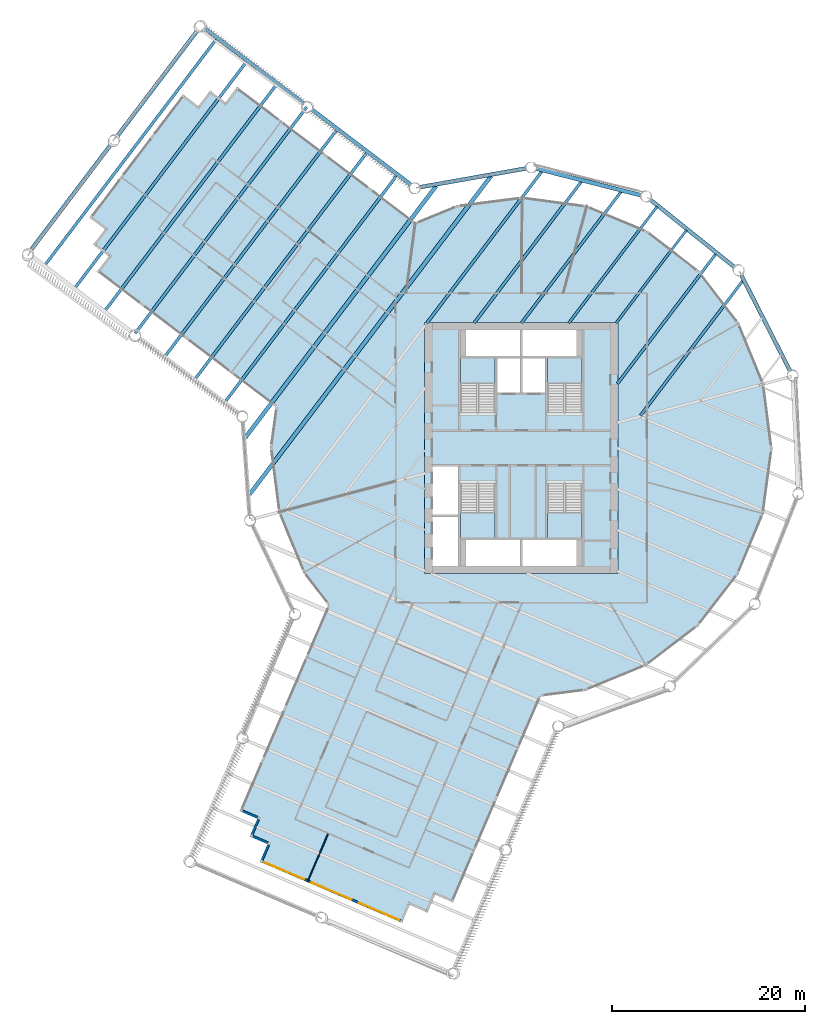
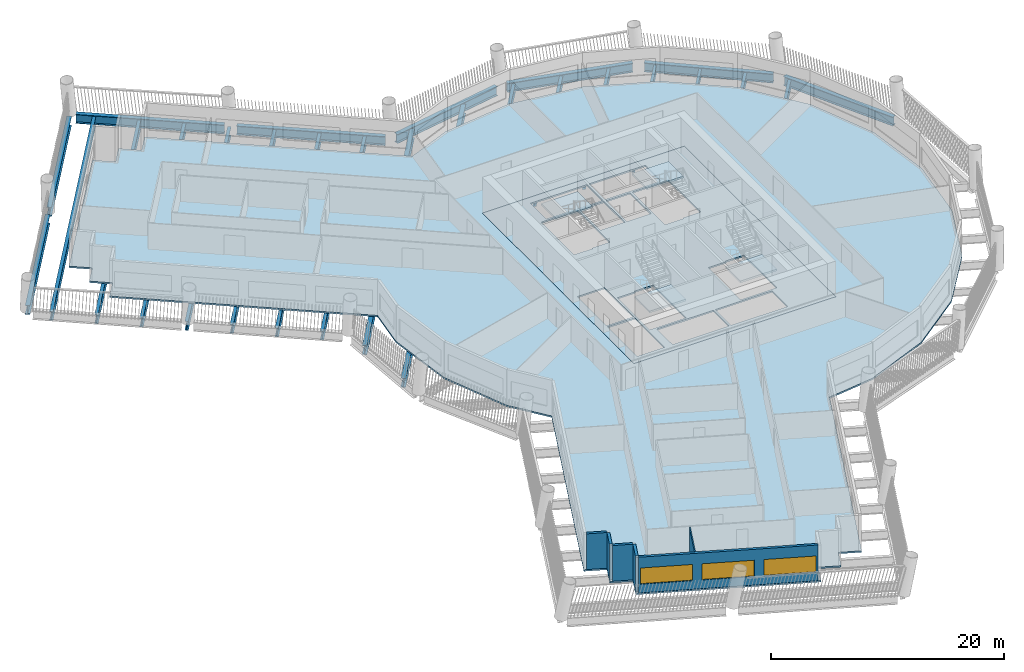
# One storey, part 2 of 16: 24 beams, 6 slabs, 6 walls, 3 windows, 3 openings, 4 elements without a shape of their own.
"""IFC4 building model written with IfcOpenShell, lengths in metres."""

from ifc_helpers import new_model, si_unit, direction, frame, frame_2d, origin, origin_2d, place, context, subcontext, project, spatial, polyline, rectangle, i_section, outline, extrude, material, layer, layer_set, material_profile, profile_set, type_object, element, fill, aggregate, save


model = new_model("IFC4")

# Units and contexts
model_context = context("Model", 3, precision=1e-05, world=origin(), true_north=direction((0.0, 1.0)))
body_context = subcontext(model_context, "Body", "Model", "MODEL_VIEW")
ifc_project = project(units=[si_unit("LENGTHUNIT", "METRE"), si_unit("AREAUNIT", "SQUARE_METRE"), si_unit("VOLUMEUNIT", "CUBIC_METRE"), si_unit("PLANEANGLEUNIT", "RADIAN"), si_unit("MASSUNIT", "GRAM", prefix="KILO")], contexts=[model_context])

# Site, building, storey
site_placement = place(None, origin())
site = spatial("IfcSite", under=ifc_project, at=site_placement, CompositionType="ELEMENT")
building_placement = place(site_placement, origin())
building = spatial("IfcBuilding", under=site, at=building_placement, Name="Tarsis Ring Headquarters", CompositionType="ELEMENT")
storey_placement = place(building_placement, frame((0.0, 0.0, 120.10009765625)))
storey = spatial("IfcBuildingStorey", under=building, at=storey_placement, Name="L27", CompositionType="ELEMENT", Elevation=120.10009765625)

# Beams
ifc_material_1 = material(Name="Structural steel S355", Category="steel")
ifc_material_profile_1 = material_profile(ifc_material_1, i_section(OverallWidth=0.2529296875, OverallDepth=0.67822265625, WebThickness=0.01171875, FlangeThickness=0.016357421875, at=origin_2d()), Name="W27x84")
ifc_profile_set_1 = profile_set([ifc_material_profile_1], Name="Structural steel S355")
beam_type_1 = type_object("IfcBeamType", Name="FB Floor beam W27x84", PredefinedType="JOIST", material=ifc_profile_set_1)
beam_1_placement = place(storey_placement, frame((17.097900390625, 22.542236328125, -0.499267578125), z_axis=(-0.604309488288, -0.796749673589, 0.0), x_axis=(0.796749673589, -0.604309488288, 0.0)))
element("IfcBeam", 1, at=beam_1_placement, inside=storey, type_object=beam_type_1, Name="Floor beam FB5", PredefinedType="JOIST", context=body_context, shape_type="SweptSolid", body=[
    extrude(i_section(OverallWidth=0.2529296875, OverallDepth=0.67822265625, WebThickness=0.01171875, FlangeThickness=0.016357421875, at=origin_2d()), origin(), (0.0, 0.0, 1.0), 12.076416015625),
])
ifc_material_profile_2 = material_profile(ifc_material_1, i_section(OverallWidth=0.2666015625, OverallDepth=0.7568359375, WebThickness=0.013916015625, FlangeThickness=0.019287109375, at=origin_2d()), Name="W30x108")
ifc_profile_set_2 = profile_set([ifc_material_profile_2], Name="Structural steel S355")
beam_type_2 = type_object("IfcBeamType", Name="FB Floor beam W30x108", PredefinedType="JOIST", material=ifc_profile_set_2)
beam_2_placement = place(storey_placement, frame((14.052001953125, 24.979736328125, -0.53857421875), z_axis=(-0.604324345789, -0.796738404426, 0.0), x_axis=(0.796738404426, -0.604324345789, 0.0)))
element("IfcBeam", 2, at=beam_2_placement, inside=storey, type_object=beam_type_2, Name="Floor beam FB6", PredefinedType="JOIST", context=body_context, shape_type="SweptSolid", body=[
    extrude(i_section(OverallWidth=0.2666015625, OverallDepth=0.7568359375, WebThickness=0.013916015625, FlangeThickness=0.019287109375, at=origin_2d()), origin(), (0.0, 0.0, 1.0), 15.135986328125),
])
ifc_material_profile_3 = material_profile(ifc_material_1, i_section(OverallWidth=0.2919921875, OverallDepth=0.835693359375, WebThickness=0.013916015625, FlangeThickness=0.018798828125, at=origin_2d()), Name="W33x118")
ifc_profile_set_3 = profile_set([ifc_material_profile_3], Name="Structural steel S355")
beam_type_3 = type_object("IfcBeamType", Name="FB Floor beam W33x118", PredefinedType="JOIST", material=ifc_profile_set_3)
beam_3_placement = place(storey_placement, frame((22.91552734375, 17.304931640625, -0.577880859375), z_axis=(-0.604314726803, -0.796745700314, 0.0), x_axis=(0.796745700314, -0.604314726803, 0.0)))
element("IfcBeam", 3, at=beam_3_placement, inside=storey, type_object=beam_type_3, Name="Floor beam FB7", PredefinedType="JOIST", context=body_context, shape_type="SweptSolid", body=[
    extrude(i_section(OverallWidth=0.2919921875, OverallDepth=0.835693359375, WebThickness=0.013916015625, FlangeThickness=0.018798828125, at=origin_2d()), origin(), (0.0, 0.0, 1.0), 17.500732421875),
])
beam_4_placement = place(storey_placement, frame((20.14404296875, 20.104736328125, -0.577880859375), z_axis=(-0.604319393678, -0.796742160567, 0.0), x_axis=(0.796742160567, -0.604319393678, 0.0)))
element("IfcBeam", 4, at=beam_4_placement, inside=storey, type_object=beam_type_3, Name="Floor beam FB7", PredefinedType="JOIST", context=body_context, shape_type="SweptSolid", body=[
    extrude(i_section(OverallWidth=0.2919921875, OverallDepth=0.835693359375, WebThickness=0.013916015625, FlangeThickness=0.018798828125, at=origin_2d()), origin(), (0.0, 0.0, 1.0), 16.885986328125),
])
beam_5_placement = place(storey_placement, frame((10.342041015625, 26.5419921875, -0.577880859375), z_axis=(-0.604327721755, -0.796735843752, 0.0), x_axis=(0.796735843752, -0.604327721755, 0.0)))
element("IfcBeam", 5, at=beam_5_placement, inside=storey, type_object=beam_type_3, Name="Floor beam FB7", PredefinedType="JOIST", context=body_context, shape_type="SweptSolid", body=[
    extrude(i_section(OverallWidth=0.2919921875, OverallDepth=0.835693359375, WebThickness=0.013916015625, FlangeThickness=0.018798828125, at=origin_2d()), origin(), (0.0, 0.0, 1.0), 17.0966796875),
])
ifc_material_profile_4 = material_profile(ifc_material_1, i_section(OverallWidth=0.3046875, OverallDepth=0.904296875, WebThickness=0.01513671875, FlangeThickness=0.02001953125, at=origin_2d()), Name="W36x135")
ifc_profile_set_4 = profile_set([ifc_material_profile_4], Name="Structural steel S355")
beam_type_4 = type_object("IfcBeamType", Name="FB Floor beam W36x135", PredefinedType="JOIST", material=ifc_profile_set_4)
beam_6_placement = place(storey_placement, frame((6.2412109375, 27.589111328125, -0.6123046875), z_axis=(-0.604317403276, -0.796743670259, 0.0), x_axis=(0.796743670259, -0.604317403276, 0.0)))
element("IfcBeam", 6, at=beam_6_placement, inside=storey, type_object=beam_type_4, Name="Floor beam FB8", PredefinedType="JOIST", context=body_context, shape_type="SweptSolid", body=[
    extrude(i_section(OverallWidth=0.3046875, OverallDepth=0.904296875, WebThickness=0.01513671875, FlangeThickness=0.02001953125, at=origin_2d()), origin(), (0.0, 0.0, 1.0), 18.410888671875),
])
beam_7_placement = place(storey_placement, frame((2.140625, 28.63623046875, -0.6123046875), z_axis=(-0.604324173683, -0.796738534968, 0.0), x_axis=(0.796738534968, -0.604324173683, 0.0)))
element("IfcBeam", 7, at=beam_7_placement, inside=storey, type_object=beam_type_4, Name="Floor beam FB8", PredefinedType="JOIST", context=body_context, shape_type="SweptSolid", body=[
    extrude(i_section(OverallWidth=0.3046875, OverallDepth=0.904296875, WebThickness=0.01513671875, FlangeThickness=0.02001953125, at=origin_2d()), origin(), (0.0, 0.0, 1.0), 19.72509765625),
])
ifc_material_profile_5 = material_profile(ifc_material_1, i_section(OverallWidth=0.309814453125, OverallDepth=0.949951171875, WebThickness=0.0244140625, FlangeThickness=0.0439453125, at=origin_2d()), Name="W36x256")
ifc_profile_set_5 = profile_set([ifc_material_profile_5], Name="Structural steel S355")
beam_type_5 = type_object("IfcBeamType", Name="FB Floor beam W36x256", PredefinedType="JOIST", material=ifc_profile_set_5)
for number, where, z_axis, x_axis, name in (
    (8, (-12.874755859375, 28.200439453125, -0.635009765625), (-0.604319540346, -0.796742049321, 0.0), (0.796742049321, -0.604319540346, 0.0), "Floor beam FB11"),
    (9, (-15.982177734375, 30.557373046875, -0.635009765625), (-0.604319540346, -0.796742049321, 0.0), (0.796742049321, -0.604319540346, 0.0), "Floor beam FB11"),
):
    element("IfcBeam", number, at=place(storey_placement, frame(where, z_axis=z_axis, x_axis=x_axis)), inside=storey, type_object=beam_type_5, Name=name, PredefinedType="JOIST", context=body_context, shape_type="SweptSolid", body=[
        extrude(i_section(OverallWidth=0.309814453125, OverallDepth=0.949951171875, WebThickness=0.0244140625, FlangeThickness=0.0439453125, at=origin_2d()), origin(), (0.0, 0.0, 1.0), 29.3759765625),
    ])
beam_8_placement = place(storey_placement, frame((-19.08935546875, 32.9140625, -0.635009765625), z_axis=(-0.604323541958, -0.796739014129, 0.0), x_axis=(0.796739014129, -0.604323541958, 0.0)))
element("IfcBeam", 10, at=beam_8_placement, inside=storey, type_object=beam_type_5, Name="Floor beam FB11", PredefinedType="JOIST", context=body_context, shape_type="SweptSolid", body=[
    extrude(i_section(OverallWidth=0.309814453125, OverallDepth=0.949951171875, WebThickness=0.0244140625, FlangeThickness=0.0439453125, at=origin_2d()), origin(), (0.0, 0.0, 1.0), 29.375732421875),
])
for number, where, z_axis, x_axis, name in (
    (11, (-22.19677734375, 35.27099609375, -0.635009765625), (-0.604319540346, -0.796742049321, 0.0), (0.796742049321, -0.604319540346, 0.0), "Floor beam FB11"),
    (12, (-25.303955078125, 37.6279296875, -0.635009765625), (-0.604319540346, -0.796742049321, 0.0), (0.796742049321, -0.604319540346, 0.0), "Floor beam FB11"),
):
    element("IfcBeam", number, at=place(storey_placement, frame(where, z_axis=z_axis, x_axis=x_axis)), inside=storey, type_object=beam_type_5, Name=name, PredefinedType="JOIST", context=body_context, shape_type="SweptSolid", body=[
        extrude(i_section(OverallWidth=0.309814453125, OverallDepth=0.949951171875, WebThickness=0.0244140625, FlangeThickness=0.0439453125, at=origin_2d()), origin(), (0.0, 0.0, 1.0), 29.3759765625),
    ])
beam_9_placement = place(storey_placement, frame((-28.411376953125, 39.984619140625, -0.635009765625), z_axis=(-0.604318266175, -0.796743015763, 0.0), x_axis=(0.796743015763, -0.604318266175, 0.0)))
element("IfcBeam", 13, at=beam_9_placement, inside=storey, type_object=beam_type_5, Name="Floor beam FB11", PredefinedType="JOIST", context=body_context, shape_type="SweptSolid", body=[
    extrude(i_section(OverallWidth=0.309814453125, OverallDepth=0.949951171875, WebThickness=0.0244140625, FlangeThickness=0.0439453125, at=origin_2d()), origin(), (0.0, 0.0, 1.0), 29.37548828125),
])
beam_10_placement = place(storey_placement, frame((-31.5185546875, 42.341552734375, -0.635009765625), z_axis=(-0.604319540346, -0.796742049321, 0.0), x_axis=(0.796742049321, -0.604319540346, 0.0)))
element("IfcBeam", 14, at=beam_10_placement, inside=storey, type_object=beam_type_5, Name="Floor beam FB11", PredefinedType="JOIST", context=body_context, shape_type="SweptSolid", body=[
    extrude(i_section(OverallWidth=0.309814453125, OverallDepth=0.949951171875, WebThickness=0.0244140625, FlangeThickness=0.0439453125, at=origin_2d()), origin(), (0.0, 0.0, 1.0), 29.3759765625),
])
ifc_material_profile_6 = material_profile(ifc_material_1, i_section(OverallWidth=0.42431640625, OverallDepth=0.947509765625, WebThickness=0.02392578125, FlangeThickness=0.042724609375, at=origin_2d()), Name="W36x302")
ifc_profile_set_6 = profile_set([ifc_material_profile_6], Name="Structural steel S355")
beam_type_6 = type_object("IfcBeamType", Name="FB Floor beam W36x302", PredefinedType="JOIST", material=ifc_profile_set_6)
beam_11_placement = place(storey_placement, frame((-3.134521484375, 28.13525390625, -0.6337890625), z_axis=(-0.60431941646, -0.796742143287, 0.0), x_axis=(0.796742143287, -0.60431941646, 0.0)))
element("IfcBeam", 15, at=beam_11_placement, inside=storey, type_object=beam_type_6, Name="Floor beam FB12", PredefinedType="JOIST", context=body_context, shape_type="SweptSolid", body=[
    extrude(i_section(OverallWidth=0.42431640625, OverallDepth=0.947509765625, WebThickness=0.02392578125, FlangeThickness=0.042724609375, at=origin_2d()), origin(), (0.0, 0.0, 1.0), 41.35302734375),
])
beam_12_placement = place(storey_placement, frame((-8.786865234375, 27.136474609375, -0.6337890625), z_axis=(-0.604322105696, -0.796740103527, 0.0), x_axis=(0.796740103527, -0.604322105696, 0.0)))
element("IfcBeam", 16, at=beam_12_placement, inside=storey, type_object=beam_type_6, Name="Floor beam FB12", PredefinedType="JOIST", context=body_context, shape_type="SweptSolid", body=[
    extrude(i_section(OverallWidth=0.42431640625, OverallDepth=0.947509765625, WebThickness=0.02392578125, FlangeThickness=0.042724609375, at=origin_2d()), origin(), (0.0, 0.0, 1.0), 32.70458984375),
])
beam_type_7 = type_object("IfcBeamType", Name="XG Ring girder W36x302", PredefinedType="BEAM", material=ifc_profile_set_6)
beam_13_placement = place(storey_placement, frame((27.843505859375, 7.898681640625, -0.473876953125), z_axis=(-0.453847062709, 0.891079594464, 0.0), x_axis=(-0.891079594464, -0.453847062709, 0.0)))
element("IfcBeam", 17, at=beam_13_placement, inside=storey, type_object=beam_type_7, Name="Ring girder XG1", PredefinedType="BEAM", context=body_context, shape_type="SweptSolid", body=[
    extrude(i_section(OverallWidth=0.42431640625, OverallDepth=0.947509765625, WebThickness=0.02392578125, FlangeThickness=0.042724609375, at=origin_2d()), origin(), (0.0, 0.0, 1.0), 11.197021484375),
])
for number, where, z_axis, x_axis, name in (
    (18, (22.112548828125, 18.67333984375, -0.473876953125), (-0.780802862992, 0.6247774717, 0.0), (-0.6247774717, -0.780802862992, 0.0), "Ring girder XG1"),
    (19, (12.44970703125, 26.127685546875, -0.473876953125), (-0.968911816963, 0.247406327627, 0.0), (-0.247406327627, -0.968911816963, 0.0), "Ring girder XG1"),
):
    element("IfcBeam", number, at=place(storey_placement, frame(where, z_axis=z_axis, x_axis=x_axis)), inside=storey, type_object=beam_type_7, Name=name, PredefinedType="BEAM", context=body_context, shape_type="SweptSolid", body=[
        extrude(i_section(OverallWidth=0.42431640625, OverallDepth=0.947509765625, WebThickness=0.02392578125, FlangeThickness=0.042724609375, at=origin_2d()), origin(), (0.0, 0.0, 1.0), 11.197265625),
    ])
beam_14_placement = place(storey_placement, frame((0.5732421875, 28.9365234375, -0.473876953125), z_axis=(-0.984750396084, -0.173973151412, 0.0), x_axis=(0.173973151412, -0.984750396084, 0.0)))
element("IfcBeam", 20, at=beam_14_placement, inside=storey, type_object=beam_type_7, Name="Ring girder XG1", PredefinedType="BEAM", context=body_context, shape_type="SweptSolid", body=[
    extrude(i_section(OverallWidth=0.42431640625, OverallDepth=0.947509765625, WebThickness=0.02392578125, FlangeThickness=0.042724609375, at=origin_2d()), origin(), (0.0, 0.0, 1.0), 11.197021484375),
])
for number, where, z_axis, x_axis, name in (
    (21, (-11.389892578125, 27.21484375, -0.473876953125), (-0.796746469893, 0.604313712166, 0.0), (-0.604313712166, -0.796746469893, 0.0), "Ring girder XG1"),
    (22, (-22.46630859375, 35.6162109375, -0.473876953125), (-0.796746469893, 0.604313712166, 0.0), (-0.604313712166, -0.796746469893, 0.0), "Ring girder XG1"),
):
    element("IfcBeam", number, at=place(storey_placement, frame(where, z_axis=z_axis, x_axis=x_axis)), inside=storey, type_object=beam_type_7, Name=name, PredefinedType="BEAM", context=body_context, shape_type="SweptSolid", body=[
        extrude(i_section(OverallWidth=0.42431640625, OverallDepth=0.947509765625, WebThickness=0.02392578125, FlangeThickness=0.042724609375, at=origin_2d()), origin(), (0.0, 0.0, 1.0), 12.850830078125),
    ])
beam_15_placement = place(storey_placement, frame((-33.441650390625, 43.281005859375, -0.473876953125), z_axis=(-0.604329735643, -0.796734316205, 0.0), x_axis=(0.796734316205, -0.604329735643, 0.0)))
element("IfcBeam", 23, at=beam_15_placement, inside=storey, type_object=beam_type_7, Name="Ring girder XG1", PredefinedType="BEAM", context=body_context, shape_type="SweptSolid", body=[
    extrude(i_section(OverallWidth=0.42431640625, OverallDepth=0.947509765625, WebThickness=0.02392578125, FlangeThickness=0.042724609375, at=origin_2d()), origin(), (0.0, 0.0, 1.0), 13.74853515625),
])
beam_16_placement = place(storey_placement, frame((-42.3857421875, 31.4892578125, -0.473876953125), z_axis=(-0.604318463135, -0.796742866371, 0.0), x_axis=(0.796742866371, -0.604318463135, 0.0)))
element("IfcBeam", 24, at=beam_16_placement, inside=storey, type_object=beam_type_7, Name="Ring girder XG1", PredefinedType="BEAM", context=body_context, shape_type="SweptSolid", body=[
    extrude(i_section(OverallWidth=0.42431640625, OverallDepth=0.947509765625, WebThickness=0.02392578125, FlangeThickness=0.042724609375, at=origin_2d()), origin(), (0.0, 0.0, 1.0), 13.748291015625),
])

# Slab
ifc_material_2 = material(Name="Concrete C40/50", Category="concrete")
ifc_layer_1 = layer(ifc_material_2, 0.159912109375)
ifc_layer_set_1 = layer_set([ifc_layer_1], Name="Core floor slab 160 C40/50")
slab_type_1 = type_object("IfcSlabType", Name="Core floor slab 160 C40/50", PredefinedType="FLOOR", material=ifc_layer_set_1)
slab_1_placement = place(storey_placement, frame((0.0, 0.0, -0.16015625)))
element("IfcSlab", 25, at=slab_1_placement, inside=storey, type_object=slab_type_1, Name="L27 core floor slab", PredefinedType="FLOOR", context=body_context, shape_type="SweptSolid", body=[
    extrude(outline(polyline([(-10.0, -13.0), (10.0, -13.0), (10.0, 13.0), (-10.0, 13.0), (-10.0, -13.0)]), holes=[polyline([(-2.5, 5.699951171875), (-0.10009765625, 5.699951171875), (-0.10009765625, 9.300048828125), (-2.5, 9.300048828125), (-2.5, 5.699951171875)]), polyline([(0.10009765625, 5.699951171875), (2.5, 5.699951171875), (2.5, 9.300048828125), (0.10009765625, 9.300048828125), (0.10009765625, 5.699951171875)]), polyline([(-9.199951171875, -12.199951171875), (-6.5, -12.199951171875), (-6.5, -7.10009765625), (-9.199951171875, -7.10009765625), (-9.199951171875, -12.199951171875)]), polyline([(-9.199951171875, -6.89990234375), (-6.5, -6.89990234375), (-6.5, -1.89990234375), (-9.199951171875, -1.89990234375), (-9.199951171875, -6.89990234375)]), polyline([(-5.699951171875, 9.5), (-0.10009765625, 9.5), (-0.10009765625, 12.199951171875), (-5.699951171875, 12.199951171875), (-5.699951171875, 9.5)]), polyline([(0.10009765625, 9.5), (5.699951171875, 9.5), (5.699951171875, 12.199951171875), (0.10009765625, 12.199951171875), (0.10009765625, 9.5)]), polyline([(-5.699951171875, -12.199951171875), (-0.10009765625, -12.199951171875), (-0.10009765625, -9.5), (-5.699951171875, -9.5), (-5.699951171875, -12.199951171875)]), polyline([(0.10009765625, -12.199951171875), (5.699951171875, -12.199951171875), (5.699951171875, -9.5), (0.10009765625, -9.5), (0.10009765625, -12.199951171875)]), polyline([(-2.699951171875, 3.760009765625), (-2.699951171875, 9.300048828125), (-6.300048828125, 9.300048828125), (-6.300048828125, 3.659912109375), (-4.4599609375, 3.659912109375), (-4.4599609375, 3.760009765625), (-2.699951171875, 3.760009765625)]), polyline([(6.300048828125, 3.760009765625), (6.300048828125, 9.300048828125), (2.699951171875, 9.300048828125), (2.699951171875, 3.659912109375), (4.5400390625, 3.659912109375), (4.5400390625, 3.760009765625), (6.300048828125, 3.760009765625)]), polyline([(-6.300048828125, -3.760009765625), (-6.300048828125, -9.300048828125), (-2.699951171875, -9.300048828125), (-2.699951171875, -3.659912109375), (-4.5400390625, -3.659912109375), (-4.5400390625, -3.760009765625), (-6.300048828125, -3.760009765625)]), polyline([(2.699951171875, -3.760009765625), (2.699951171875, -9.300048828125), (6.300048828125, -9.300048828125), (6.300048828125, -3.659912109375), (4.4599609375, -3.659912109375), (4.4599609375, -3.760009765625), (2.699951171875, -3.760009765625)])]), origin(), (0.0, 0.0, 1.0), 0.16015625),
])

# Stair, slab
ifc_material_3 = material(Name="Core stair 1760")
stair_type = type_object("IfcStairType", Name="Core stair 1760", PredefinedType="HALF_TURN_STAIR", material=ifc_material_3)
stair_1_placement = place(storey_placement, origin())
stair_1 = element("IfcStair", 26, at=stair_1_placement, inside=storey, type_object=stair_type, Name="L27 Firefighting stair", PredefinedType="HALF_TURN_STAIR")
ifc_layer_2 = layer(ifc_material_2, 0.199951171875)
ifc_layer_set_2 = layer_set([ifc_layer_2], Name="Core stair landing 200")
slab_type_2 = type_object("IfcSlabType", Name="Core stair landing 200", PredefinedType="LANDING", material=ifc_layer_set_2)
slab_2_placement = place(storey_placement, frame((0.0, 0.0, 1.75)))
slab_2 = element("IfcSlab", 27, at=slab_2_placement, type_object=slab_type_2, Name="Stair ST1 landing 1", PredefinedType="LANDING", context=body_context, shape_type="SweptSolid", body=[
    extrude(outline(polyline([(-2.699951171875, 6.739990234375), (-2.699951171875, 9.300048828125), (-6.300048828125, 9.300048828125), (-6.300048828125, 6.739990234375), (-2.699951171875, 6.739990234375)])), origin(), (0.0, 0.0, 1.0), 0.199951171875),
])
aggregate(stair_1, [slab_2])

stair_2_placement = place(storey_placement, origin())
stair_2 = element("IfcStair", 28, at=stair_2_placement, inside=storey, type_object=stair_type, Name="L27 Exit stair B", PredefinedType="HALF_TURN_STAIR")
slab_3_placement = place(storey_placement, frame((0.0, 0.0, 1.75)))
slab_3 = element("IfcSlab", 29, at=slab_3_placement, type_object=slab_type_2, Name="Stair ST2 landing 1", PredefinedType="LANDING", context=body_context, shape_type="SweptSolid", body=[
    extrude(outline(polyline([(6.300048828125, 6.739990234375), (6.300048828125, 9.300048828125), (2.699951171875, 9.300048828125), (2.699951171875, 6.739990234375), (6.300048828125, 6.739990234375)])), origin(), (0.0, 0.0, 1.0), 0.199951171875),
])
aggregate(stair_2, [slab_3])

stair_3_placement = place(storey_placement, origin())
stair_3 = element("IfcStair", 30, at=stair_3_placement, inside=storey, type_object=stair_type, Name="L27 Exit stair C", PredefinedType="HALF_TURN_STAIR")
slab_4_placement = place(storey_placement, frame((0.0, 0.0, 1.75)))
slab_4 = element("IfcSlab", 31, at=slab_4_placement, type_object=slab_type_2, Name="Stair ST3 landing 1", PredefinedType="LANDING", context=body_context, shape_type="SweptSolid", body=[
    extrude(outline(polyline([(-6.300048828125, -6.739990234375), (-6.300048828125, -9.300048828125), (-2.699951171875, -9.300048828125), (-2.699951171875, -6.739990234375), (-6.300048828125, -6.739990234375)])), origin(), (0.0, 0.0, 1.0), 0.199951171875),
])
aggregate(stair_3, [slab_4])

stair_4_placement = place(storey_placement, origin())
stair_4 = element("IfcStair", 32, at=stair_4_placement, inside=storey, type_object=stair_type, Name="L27 Exit stair D", PredefinedType="HALF_TURN_STAIR")
slab_5_placement = place(storey_placement, frame((0.0, 0.0, 1.75)))
slab_5 = element("IfcSlab", 33, at=slab_5_placement, type_object=slab_type_2, Name="Stair ST4 landing 1", PredefinedType="LANDING", context=body_context, shape_type="SweptSolid", body=[
    extrude(outline(polyline([(2.699951171875, -6.739990234375), (2.699951171875, -9.300048828125), (6.300048828125, -9.300048828125), (6.300048828125, -6.739990234375), (2.699951171875, -6.739990234375)])), origin(), (0.0, 0.0, 1.0), 0.199951171875),
])
aggregate(stair_4, [slab_5])

# Slab
ifc_material_4 = material(Name="Concrete C35/45", Category="concrete")
ifc_layer_3 = layer(ifc_material_4, 0.159912109375)
ifc_layer_set_3 = layer_set([ifc_layer_3], Name="FS Composite floor slab 160")
slab_type_3 = type_object("IfcSlabType", Name="FS Composite floor slab 160", PredefinedType="FLOOR", material=ifc_layer_set_3)
slab_6_placement = place(storey_placement, frame((0.0, 0.0, -0.16015625)))
element("IfcSlab", 34, at=slab_6_placement, inside=storey, type_object=slab_type_3, Name="Floor slab L27", PredefinedType="FLOOR", context=body_context, shape_type="SweptSolid", body=[
    extrude(outline(polyline([(-25.43994140625, 4.234619140625), (-25.999755859375, 0.081787109375), (-25.135009765625, -6.650390625), (-22.557373046875, -12.92919921875), (-20.016845703125, -16.26171875), (-29.137939453125, -37.56298828125), (-27.29931640625, -38.350341796875), (-28.08642578125, -40.18896484375), (-26.248046875, -40.97607421875), (-27.03515625, -42.814697265625), (-12.326904296875, -49.112548828125), (-11.53955078125, -47.274169921875), (-9.701171875, -48.061279296875), (-8.913818359375, -46.22265625), (-7.0751953125, -47.010009765625), (2.03759765625, -25.7275390625), (6.650390625, -25.135009765625), (12.92919921875, -22.557373046875), (18.326904296875, -18.4423828125), (22.475830078125, -13.070556640625), (25.0927734375, -6.80810546875), (25.999755859375, -0.081787109375), (25.135009765625, 6.650390625), (22.557373046875, 12.92919921875), (18.4423828125, 18.326904296875), (13.070556640625, 22.475830078125), (6.80810546875, 25.0927734375), (0.081787109375, 25.999755859375), (-6.650390625, 25.135009765625), (-10.95263671875, 23.368896484375), (-29.398193359375, 37.359619140625), (-30.60693359375, 35.76611328125), (-32.200439453125, 36.974853515625), (-33.408935546875, 35.38134765625), (-35.00244140625, 36.590087890625), (-44.671630859375, 23.842041015625), (-43.078125, 22.633544921875), (-44.286865234375, 21.0400390625), (-42.693359375, 19.831298828125), (-43.90185546875, 18.23779296875), (-25.43994140625, 4.234619140625)]), holes=[polyline([(-10.0, -13.0), (-10.0, 13.0), (10.0, 13.0), (10.0, -13.0), (-10.0, -13.0)])]), origin(), (0.0, 0.0, 1.0), 0.16015625),
])

# Walls
ifc_material_5 = material(Name="Gypsum board on steel studs", Category="steel")
ifc_layer_4 = layer(ifc_material_5, 0.10009765625)
ifc_layer_set_4 = layer_set([ifc_layer_4], Name="FL partition 100 unrated")
wall_type_1 = type_object("IfcWallType", Name="FL partition 100 unrated", PredefinedType="PARTITIONING", material=ifc_layer_set_4)
wall_1_placement = place(storey_placement, frame((-22.11572265625, -44.86669921875, 0.0), z_axis=(0.0, 0.0, 1.0), x_axis=(0.39358456105, 0.919288416822, 0.0)))
element("IfcWall", 35, at=wall_1_placement, inside=storey, type_object=wall_type_1, Name="Partition PW3", PredefinedType="PARTITIONING", context=body_context, shape_type="SweptSolid", body=[
    extrude(rectangle(XDim=5.369873046875, YDim=0.10009765625, at=frame_2d((2.68505859375, 0.0))), origin(), (0.0, 0.0, 1.0), 2.699951171875),
])
ifc_material_6 = material(Name="Terracotta clad insulated panel wall", Category="masonry")
ifc_layer_5 = layer(ifc_material_6, 0.25)
ifc_layer_set_5 = layer_set([ifc_layer_5], Name="Facade wall terracotta panel 250")
wall_type_2 = type_object("IfcWallType", Name="Facade wall terracotta panel 250", PredefinedType="STANDARD", material=ifc_layer_set_5)
for number, where, z_axis, x_axis, name in (
    (36, (-28.85888671875, -37.546630859375, 0.0), (0.0, 0.0, 1.0), (0.91931090641, -0.393532028374, 0.0), "External wall L27-07"),
    (37, (-27.184326171875, -38.399658203125, 0.0), (0.0, 0.0, 1.0), (-0.393700399262, -0.919238813161, 0.0), "External wall L27-08"),
):
    element("IfcWall", number, at=place(storey_placement, frame(where, z_axis=z_axis, x_axis=x_axis)), inside=storey, type_object=wall_type_2, Name=name, PredefinedType="STANDARD", context=body_context, shape_type="SweptSolid", body=[
        extrude(rectangle(XDim=1.75, YDim=0.25, at=frame_2d((0.875, 0.0))), origin(), (0.0, 0.0, 1.0), 3.739990234375),
    ])
wall_2_placement = place(storey_placement, frame((-27.8076171875, -40.17236328125, 0.0), z_axis=(0.0, 0.0, 1.0), x_axis=(0.919260433227, -0.393649915412, 0.0)))
element("IfcWall", 38, at=wall_2_placement, inside=storey, type_object=wall_type_2, Name="External wall L27-09", PredefinedType="STANDARD", context=body_context, shape_type="SweptSolid", body=[
    extrude(rectangle(XDim=1.750244140625, YDim=0.25, at=frame_2d((0.875, 0.0))), origin(), (0.0, 0.0, 1.0), 3.739990234375),
])
wall_3_placement = place(storey_placement, frame((-26.133056640625, -41.025390625, 0.0), z_axis=(0.0, 0.0, 1.0), x_axis=(-0.393700399262, -0.919238813161, 0.0)))
element("IfcWall", 39, at=wall_3_placement, inside=storey, type_object=wall_type_2, Name="External wall L27-10", PredefinedType="STANDARD", context=body_context, shape_type="SweptSolid", body=[
    extrude(rectangle(XDim=1.75, YDim=0.25, at=frame_2d((0.875, 0.0))), origin(), (0.0, 0.0, 1.0), 3.739990234375),
])

# Wall, openings, windows
wall_4_placement = place(storey_placement, frame((-26.756103515625, -42.798095703125, 0.0), z_axis=(0.0, 0.0, 1.0), x_axis=(0.919266378563, -0.393636031436, 0.0)))
wall_4 = element("IfcWall", 40, at=wall_4_placement, inside=storey, type_object=wall_type_2, Name="External wall L27-11", PredefinedType="STANDARD", context=body_context, shape_type="SweptSolid", body=[
    extrude(rectangle(XDim=15.5, YDim=0.25, at=frame_2d((7.75, 0.0))), origin(), (0.0, 0.0, 1.0), 3.739990234375),
])
opening_1_placement = place(wall_4_placement, frame((0.166748046875, 0.0, 0.89990234375)))
opening_1 = element("IfcOpeningElement", 41, at=opening_1_placement, cuts=wall_4, Name="Opening WN04", PredefinedType="OPENING", context=body_context, shape_type="SweptSolid", body=[
    extrude(rectangle(XDim=4.5, YDim=1.699951171875, at=frame_2d((2.25, 0.85009765625))), frame((0.0, 0.135009765625, 0.0), z_axis=(0.0, -1.0, 0.0), x_axis=(1.0, 0.0, 0.0)), (0.0, 0.0, 1.0), 0.27001953125),
])
opening_2_placement = place(wall_4_placement, frame((5.5, 0.0, 0.89990234375)))
opening_2 = element("IfcOpeningElement", 42, at=opening_2_placement, cuts=wall_4, Name="Opening WN04", PredefinedType="OPENING", context=body_context, shape_type="SweptSolid", body=[
    extrude(rectangle(XDim=4.5, YDim=1.699951171875, at=frame_2d((2.25, 0.85009765625))), frame((0.0, 0.135009765625, 0.0), z_axis=(0.0, -1.0, 0.0), x_axis=(1.0, 0.0, 0.0)), (0.0, 0.0, 1.0), 0.27001953125),
])
opening_3_placement = place(wall_4_placement, frame((10.833251953125, 0.0, 0.89990234375)))
opening_3 = element("IfcOpeningElement", 43, at=opening_3_placement, cuts=wall_4, Name="Opening WN04", PredefinedType="OPENING", context=body_context, shape_type="SweptSolid", body=[
    extrude(rectangle(XDim=4.5, YDim=1.699951171875, at=frame_2d((2.25, 0.85009765625))), frame((0.0, 0.135009765625, 0.0), z_axis=(0.0, -1.0, 0.0), x_axis=(1.0, 0.0, 0.0)), (0.0, 0.0, 1.0), 0.27001953125),
])
ifc_material_7 = material(Name="Aluminium framed double glazing", Category="aluminium")
window_type = type_object("IfcWindowType", Name="Facade window 4500 x 1700", PartitioningType="SINGLE_PANEL", PredefinedType="WINDOW", material=ifc_material_7)
window_1_placement = place(opening_1_placement, origin())
window_1 = element("IfcWindow", 44, at=window_1_placement, inside=storey, type_object=window_type, Name="Window L27-11.1", OverallHeight=1.699951171875, OverallWidth=4.5, PartitioningType="SINGLE_PANEL", PredefinedType="WINDOW", context=body_context, shape_type="SweptSolid", body=[
    extrude(rectangle(XDim=4.5, YDim=1.699951171875, at=frame_2d((2.25, 0.85009765625))), frame((0.0, 0.030029296875, 0.0), z_axis=(0.0, -1.0, 0.0), x_axis=(1.0, 0.0, 0.0)), (0.0, 0.0, 1.0), 0.06005859375),
])
fill(opening_1, window_1)
window_2_placement = place(opening_2_placement, origin())
window_2 = element("IfcWindow", 45, at=window_2_placement, inside=storey, type_object=window_type, Name="Window L27-11.2", OverallHeight=1.699951171875, OverallWidth=4.5, PartitioningType="SINGLE_PANEL", PredefinedType="WINDOW", context=body_context, shape_type="SweptSolid", body=[
    extrude(rectangle(XDim=4.5, YDim=1.699951171875, at=frame_2d((2.25, 0.85009765625))), frame((0.0, 0.030029296875, 0.0), z_axis=(0.0, -1.0, 0.0), x_axis=(1.0, 0.0, 0.0)), (0.0, 0.0, 1.0), 0.06005859375),
])
fill(opening_2, window_2)
window_3_placement = place(opening_3_placement, origin())
window_3 = element("IfcWindow", 46, at=window_3_placement, inside=storey, type_object=window_type, Name="Window L27-11.3", OverallHeight=1.699951171875, OverallWidth=4.5, PartitioningType="SINGLE_PANEL", PredefinedType="WINDOW", context=body_context, shape_type="SweptSolid", body=[
    extrude(rectangle(XDim=4.5, YDim=1.699951171875, at=frame_2d((2.25, 0.85009765625))), frame((0.0, 0.030029296875, 0.0), z_axis=(0.0, -1.0, 0.0), x_axis=(1.0, 0.0, 0.0)), (0.0, 0.0, 1.0), 0.06005859375),
])
fill(opening_3, window_3)

save(model, "model.ifc")
